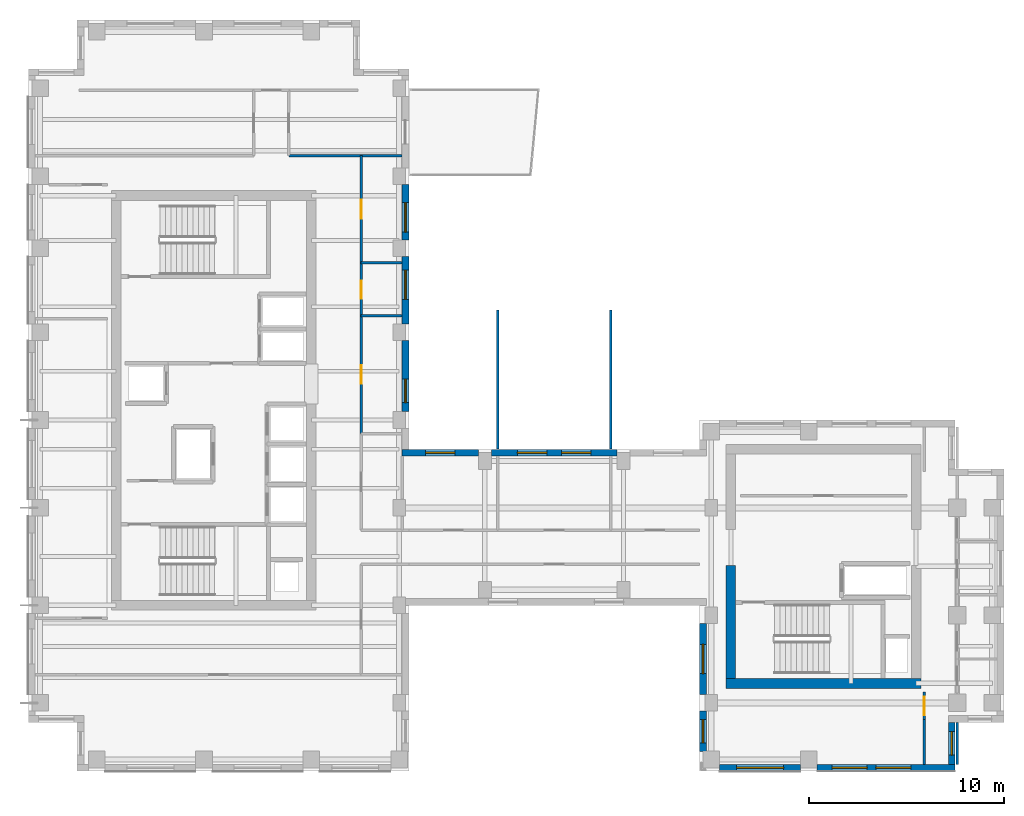
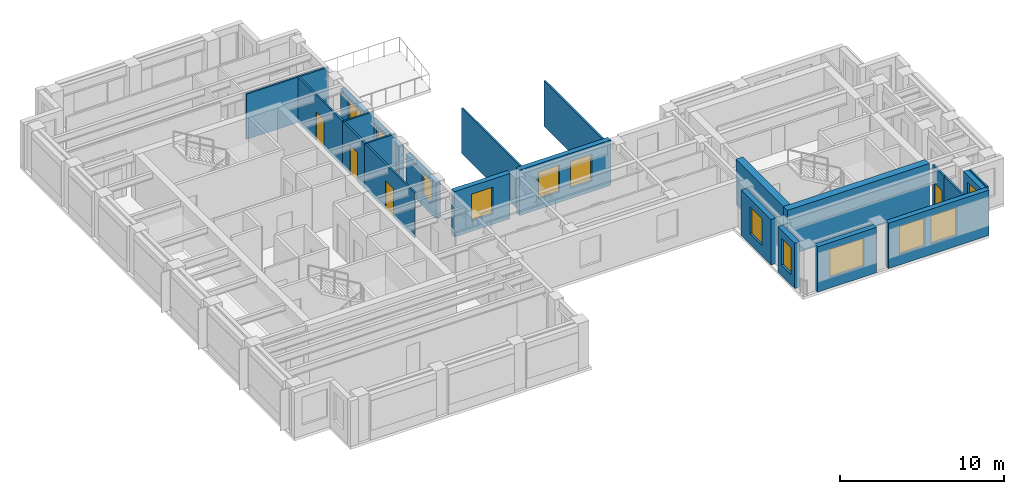
# One storey, part 5 of 10: 23 walls, 12 windows, 4 doors, 16 openings.
"""IFC4 building model written with IfcOpenShell, lengths in metres."""

import ifcopenshell
import ifcopenshell.guid

model = None  # the IFC model being written
_history = None  # IfcOwnerHistory: only IFC2X3 demands one
_inside = {}  # id of a spatial element -> (the spatial element, [elements in it])
_under = {}  # id of a project, library or spatial element -> (it, [spatial elements below it])
_declared = {}  # id of a project -> (the project, [libraries it declares])
_typed = {}  # id of a type object -> (the type object, [elements of that type])
_made_of = {}  # id of a material, layer set ... -> (it, [elements and type objects made of it])


def new_model(schema):
    """Start an empty IFC model of exactly this schema.

    Asked for "IFC4X3", IfcOpenShell would pick the latest addendum, in which some entities
    have other attributes; the version numbers below select the first issue.
    IFC2X3 requires an IfcOwnerHistory on every rooted entity: one is made here for all.
    """
    global model, _history
    if schema == "IFC4X3":
        model = ifcopenshell.file(schema_version=(4, 3, 0, 0))
    else:
        model = ifcopenshell.file(schema=schema)
    _inside.clear()
    _under.clear()
    _declared.clear()
    _typed.clear()
    _made_of.clear()
    _history = None
    if model.schema == "IFC2X3":
        org = make("IfcOrganization", Name="unknown")
        user = make(
            "IfcPersonAndOrganization",
            ThePerson=make("IfcPerson", FamilyName="unknown"),
            TheOrganization=org,
        )
        app = make(
            "IfcApplication",
            ApplicationDeveloper=org,
            Version="unknown",
            ApplicationFullName="unknown",
            ApplicationIdentifier="unknown",
        )
        _history = make(
            "IfcOwnerHistory",
            OwningUser=user,
            OwningApplication=app,
            ChangeAction="ADDED",
            CreationDate=0,
        )
    return model


def make(cls, **values):
    """One entity of the class cls with the attributes given. An attribute that is None is left unset."""
    return model.create_entity(
        cls, **{name: value for name, value in values.items() if value is not None}
    )


def rooted(cls, **values):
    """An entity with a GlobalId (a new one), such as an element, a storey or a relation."""
    return make(cls, GlobalId=ifcopenshell.guid.new(), OwnerHistory=_history, **values)


def si_unit(unit_type, name, prefix=None):
    """IfcSIUnit, for example si_unit("LENGTHUNIT", "METRE", prefix="MILLI")."""
    return make("IfcSIUnit", UnitType=unit_type, Prefix=prefix, Name=name)


def assignment(units):
    """IfcUnitAssignment: the units of a project."""
    return None if units is None else make("IfcUnitAssignment", Units=units)


def point(xyz):
    """IfcCartesianPoint."""
    return None if xyz is None else make("IfcCartesianPoint", Coordinates=xyz)


def direction(xyz):
    """IfcDirection."""
    return None if xyz is None else make("IfcDirection", DirectionRatios=xyz)


def frame(location, z_axis=None, x_axis=None):
    """IfcAxis2Placement3D, a coordinate frame: its origin and axes. An axis left out is left unset."""
    return make(
        "IfcAxis2Placement3D",
        Location=point(location),
        Axis=direction(z_axis),
        RefDirection=direction(x_axis),
    )


def frame_2d(location, x_axis=None):
    """IfcAxis2Placement2D, a coordinate frame in the plane: its origin and x axis."""
    return make(
        "IfcAxis2Placement2D", Location=point(location), RefDirection=direction(x_axis)
    )


def origin():
    """The frame at (0, 0, 0) with its axes left unset."""
    return frame((0.0, 0.0, 0.0))


def place(relative_to, where):
    """IfcLocalPlacement: puts the frame where relative to a parent placement (None: the world)."""
    return make(
        "IfcLocalPlacement", PlacementRelTo=relative_to, RelativePlacement=where
    )


def context(
    kind, dimensions, precision=None, world=None, true_north=None, identifier=None
):
    """IfcGeometricRepresentationContext, for example the 3D "Model" context."""
    return make(
        "IfcGeometricRepresentationContext",
        ContextIdentifier=identifier,
        ContextType=kind,
        CoordinateSpaceDimension=dimensions,
        Precision=precision,
        WorldCoordinateSystem=world,
        TrueNorth=true_north,
    )


def subcontext(parent, identifier, kind, view, scale=None):
    """IfcGeometricRepresentationSubContext, for example "Body" below "Model"."""
    return make(
        "IfcGeometricRepresentationSubContext",
        ContextIdentifier=identifier,
        ContextType=kind,
        ParentContext=parent,
        TargetScale=scale,
        TargetView=view,
    )


def project(units=None, contexts=None):
    """IfcProject with its units and contexts."""
    return rooted(
        "IfcProject",
        Name="project",
        RepresentationContexts=contexts,
        UnitsInContext=assignment(units),
    )


def spatial(cls, under=None, at=None, **own):
    """A site, building, storey or space (cls), placed at a placement, below another one or the project."""
    s = rooted(cls, ObjectPlacement=at, **own)
    if under is not None:
        _under.setdefault(under.id(), (under, []))[1].append(s)
    return s


def profile(cls, at=None, kind="AREA", **sizes):
    """A parametric profile (cls). Its sizes go by their IFC names, for example OverallWidth=200.0."""
    return make(cls, ProfileType=kind, Position=at, **sizes)


def rectangle(**sizes):
    """IfcRectangleProfileDef."""
    return profile("IfcRectangleProfileDef", **sizes)


def extrude(swept, where, along, depth):
    """IfcExtrudedAreaSolid: the profile swept, set in the frame where, extruded along a direction by depth."""
    return make(
        "IfcExtrudedAreaSolid",
        SweptArea=swept,
        Position=where,
        ExtrudedDirection=direction(along),
        Depth=depth,
    )


def shape(context_of_items, identifier, shape_type, items):
    """IfcShapeRepresentation: the items that make up one representation, for example the "Body"."""
    return make(
        "IfcShapeRepresentation",
        ContextOfItems=context_of_items,
        RepresentationIdentifier=identifier,
        RepresentationType=shape_type,
        Items=items,
    )


def source(mapping_origin, context_of_items, identifier, shape_type, items):
    """IfcRepresentationMap: a shape defined once, which mapped items show again and again."""
    return make(
        "IfcRepresentationMap",
        MappingOrigin=mapping_origin,
        MappedRepresentation=shape(context_of_items, identifier, shape_type, items),
    )


def transform(
    local_origin,
    x_axis=None,
    y_axis=None,
    z_axis=None,
    scale=None,
    scale2=None,
    scale3=None,
    uniform=True,
):
    """IfcCartesianTransformationOperator3D, or its non-uniform kind. x_axis, y_axis, z_axis: its Axis1, 2, 3."""
    if uniform:
        return make(
            "IfcCartesianTransformationOperator3D",
            Axis1=direction(x_axis),
            Axis2=direction(y_axis),
            LocalOrigin=point(local_origin),
            Scale=scale,
            Axis3=direction(z_axis),
        )
    return make(
        "IfcCartesianTransformationOperator3DnonUniform",
        Axis1=direction(x_axis),
        Axis2=direction(y_axis),
        LocalOrigin=point(local_origin),
        Scale=scale,
        Axis3=direction(z_axis),
        Scale2=scale2,
        Scale3=scale3,
    )


def mapped(mapping_source, mapping_target):
    """IfcMappedItem: shows the shape of a source again, moved by a transform."""
    return make(
        "IfcMappedItem", MappingSource=mapping_source, MappingTarget=mapping_target
    )


def material(Name=None, Category=None):
    """IfcMaterial."""
    return make("IfcMaterial", Name=Name, Category=Category)


def layer(
    of_material, thickness, ventilated=None, Name=None, Category=None, Priority=None
):
    """IfcMaterialLayer: one layer of a wall or slab, of a material (None: an air gap)."""
    return make(
        "IfcMaterialLayer",
        Material=of_material,
        LayerThickness=thickness,
        IsVentilated=ventilated,
        Name=Name,
        Category=Category,
        Priority=Priority,
    )


def layer_set(layers, Name=None):
    """IfcMaterialLayerSet."""
    return make("IfcMaterialLayerSet", MaterialLayers=layers, LayerSetName=Name)


def made_of(thing, what):
    """Note that an element or type object is made of a material, layer set ...; save() writes the relation."""
    if what is not None:
        _made_of.setdefault(what.id(), (what, []))[1].append(thing)
    return thing


def type_object(cls, material=None, **own):
    """A type object (cls), such as IfcWallType, which elements share."""
    return made_of(rooted(cls, **own), material)


def element(
    cls,
    number,
    at=None,
    inside=None,
    cuts=None,
    type_object=None,
    material=None,
    context=None,
    identifier="Body",
    shape_type=None,
    held_by="IfcProductDefinitionShape",
    body=None,
    shapes=None,
    **own,
):
    """One element of the class cls, such as IfcWall. Its Tag is "e" and its number.

    at: its placement. inside: the storey or other place that contains it. cuts: it is an
    opening in that element (IfcRelVoidsElement). A single representation is given by context,
    identifier, shape_type and body (its items); several are given by shapes. held_by: the class
    of the entity that holds the representations. save() writes the other relations.
    """
    e = rooted(cls, Tag="e%d" % number, ObjectPlacement=at, **own)
    if body is not None:
        shapes = [shape(context, identifier, shape_type, body)]
    if shapes is not None:
        e.Representation = make(held_by, Representations=shapes)
    if inside is not None:
        _inside.setdefault(inside.id(), (inside, []))[1].append(e)
    if cuts is not None:
        rooted(
            "IfcRelVoidsElement", RelatingBuildingElement=cuts, RelatedOpeningElement=e
        )
    if type_object is not None:
        _typed.setdefault(type_object.id(), (type_object, []))[1].append(e)
    return made_of(e, material)


def fill(opening, filler):
    """IfcRelFillsElement: the door or window that sits in an opening."""
    return rooted(
        "IfcRelFillsElement",
        RelatingOpeningElement=opening,
        RelatedBuildingElement=filler,
    )


def aggregate(whole, parts):
    """IfcRelAggregates: a whole, such as a stair, and the parts it consists of."""
    return rooted("IfcRelAggregates", RelatingObject=whole, RelatedObjects=parts)


def save(model, path):
    """Write the relations noted so far, then the file.

    IfcRelAggregates (storeys below a building ...), IfcRelContainedInSpatialStructure (elements
    in a storey), IfcRelDefinesByType, IfcRelAssociatesMaterial and IfcRelDeclares: one each for
    every whole, place, type object, material and project.
    """
    for whole, parts in _under.values():
        aggregate(whole, parts)
    for where, things in _inside.values():
        rooted(
            "IfcRelContainedInSpatialStructure",
            RelatedElements=things,
            RelatingStructure=where,
        )
    for kind, things in _typed.values():
        rooted("IfcRelDefinesByType", RelatedObjects=things, RelatingType=kind)
    for what, things in _made_of.values():
        rooted("IfcRelAssociatesMaterial", RelatedObjects=things, RelatingMaterial=what)
    for by, libraries in _declared.values():
        rooted("IfcRelDeclares", RelatingContext=by, RelatedDefinitions=libraries)
    model.write(path)


model = new_model("IFC4")

# Units and contexts
model_context = context("Model", 3, precision=1e-05, world=origin(), true_north=direction((0.0, 1.0)))
body_context = subcontext(model_context, "Body", "Model", "MODEL_VIEW")
ifc_project = project(units=[si_unit("LENGTHUNIT", "METRE"), si_unit("AREAUNIT", "SQUARE_METRE"), si_unit("VOLUMEUNIT", "CUBIC_METRE"), si_unit("PLANEANGLEUNIT", "RADIAN"), si_unit("MASSUNIT", "GRAM", prefix="KILO")], contexts=[model_context])

# Site, building, storey
site_placement = place(None, origin())
site = spatial("IfcSite", under=ifc_project, at=site_placement, CompositionType="ELEMENT")
building_placement = place(site_placement, origin())
building = spatial("IfcBuilding", under=site, at=building_placement, Name="Kharzan Plaza Tower", CompositionType="ELEMENT")
storey_placement = place(building_placement, frame((0.0, 0.0, 223.199951171875)))
storey = spatial("IfcBuildingStorey", under=building, at=storey_placement, Name="L60", CompositionType="ELEMENT", Elevation=223.199951171875)

# Wall, opening, window
ifc_material_1 = material(Name="Concrete C40/50", Category="concrete")
ifc_layer_1 = layer(ifc_material_1, 0.35009765625)
ifc_layer_set_1 = layer_set([ifc_layer_1], Name="Concrete C40/50")
wall_type_1 = type_object("IfcWallType", Name="WL-EXT-MAS-Z4", PredefinedType="SOLIDWALL", material=ifc_layer_set_1)
wall_1_placement = place(storey_placement, frame((19.324951171875, 18.423095703125, 0.0), z_axis=(0.0, 0.0, 1.0), x_axis=(0.0, 1.0, 0.0)))
wall_1 = element("IfcWall", 1, at=wall_1_placement, inside=storey, type_object=wall_type_1, Name="L60 Masonry-Frame Exterior Wall 02", PredefinedType="SOLIDWALL", context=body_context, shape_type="SweptSolid", body=[
    extrude(rectangle(XDim=3.65380859375, YDim=0.35009765625, at=frame_2d((1.826904296875, 0.0))), origin(), (0.0, 0.0, 1.0), 2.619140625),
])
opening_1_placement = place(wall_1_placement, frame((0.469970703125, 0.0, 0.780029296875)))
opening_1 = element("IfcOpeningElement", 2, at=opening_1_placement, cuts=wall_1, Name="Opening W3", PredefinedType="OPENING", context=body_context, shape_type="SweptSolid", body=[
    extrude(rectangle(XDim=1.199951171875, YDim=1.658935546875, at=frame_2d((0.60009765625, 0.82958984375))), frame((0.0, 0.18505859375, 0.0), z_axis=(0.0, -1.0, 0.0), x_axis=(1.0, 0.0, 0.0)), (0.0, 0.0, 1.0), 0.3701171875),
])
ifc_material_2 = material(Name="Low-E Double Glazing", Category="glass")
window_type_1 = type_object("IfcWindowType", Name="WN-REC-1200x2100", PartitioningType="SINGLE_PANEL", PredefinedType="WINDOW", material=ifc_material_2)
shared_shape_1 = source(origin(), body_context, "Body", "SweptSolid", [
    extrude(rectangle(XDim=1.199951171875, YDim=1.658935546875, at=frame_2d((0.60009765625, 0.82958984375))), frame((0.0, 0.030029296875, 0.0), z_axis=(0.0, -1.0, 0.0), x_axis=(1.0, 0.0, 0.0)), (0.0, 0.0, 1.0), 0.06005859375),
])
window_1_placement = place(opening_1_placement, origin())
window_1 = element("IfcWindow", 3, at=window_1_placement, inside=storey, type_object=window_type_1, Name="L60 Recessed Solar-Control Window 02-1", OverallHeight=1.658935546875, OverallWidth=1.199951171875, PartitioningType="SINGLE_PANEL", PredefinedType="WINDOW", context=body_context, shape_type="MappedRepresentation", body=[
    mapped(shared_shape_1, transform((0.0, 0.0, 0.0), x_axis=(1.0, 0.0, 0.0), y_axis=(0.0, 1.0, 0.0), z_axis=(0.0, 0.0, 1.0))),
])
fill(opening_1, window_1)

wall_2_placement = place(storey_placement, frame((19.324951171875, 22.923095703125, 0.0), z_axis=(0.0, 0.0, 1.0), x_axis=(0.0, 1.0, 0.0)))
wall_2 = element("IfcWall", 4, at=wall_2_placement, inside=storey, type_object=wall_type_1, Name="L60 Masonry-Frame Exterior Wall 03", PredefinedType="SOLIDWALL", context=body_context, shape_type="SweptSolid", body=[
    extrude(rectangle(XDim=3.453857421875, YDim=0.35009765625, at=frame_2d((1.72705078125, 0.0))), origin(), (0.0, 0.0, 1.0), 2.619140625),
])
opening_2_placement = place(wall_2_placement, frame((1.255615234375, 0.0, 0.780029296875)))
opening_2 = element("IfcOpeningElement", 5, at=opening_2_placement, cuts=wall_2, Name="Opening W5", PredefinedType="OPENING", context=body_context, shape_type="SweptSolid", body=[
    extrude(rectangle(XDim=1.5, YDim=1.658935546875, at=frame_2d((0.75, 0.82958984375))), frame((0.0, 0.18505859375, 0.0), z_axis=(0.0, -1.0, 0.0), x_axis=(1.0, 0.0, 0.0)), (0.0, 0.0, 1.0), 0.3701171875),
])
window_type_2 = type_object("IfcWindowType", Name="WN-SLT-1500x2000", PartitioningType="SINGLE_PANEL", PredefinedType="WINDOW", material=ifc_material_2)
shared_shape_2 = source(origin(), body_context, "Body", "SweptSolid", [
    extrude(rectangle(XDim=1.5, YDim=1.658935546875, at=frame_2d((0.75, 0.82958984375))), frame((0.0, 0.030029296875, 0.0), z_axis=(0.0, -1.0, 0.0), x_axis=(1.0, 0.0, 0.0)), (0.0, 0.0, 1.0), 0.06005859375),
])
window_2_placement = place(opening_2_placement, origin())
window_2 = element("IfcWindow", 6, at=window_2_placement, inside=storey, type_object=window_type_2, Name="L60 Recessed Solar-Control Window 03-1", OverallHeight=1.658935546875, OverallWidth=1.5, PartitioningType="SINGLE_PANEL", PredefinedType="WINDOW", context=body_context, shape_type="MappedRepresentation", body=[
    mapped(shared_shape_2, transform((0.0, 0.0, 0.0), x_axis=(1.0, 0.0, 0.0), y_axis=(0.0, 1.0, 0.0), z_axis=(0.0, 0.0, 1.0))),
])
fill(opening_2, window_2)

wall_3_placement = place(storey_placement, frame((19.324951171875, 27.222900390625, 0.0), z_axis=(0.0, 0.0, 1.0), x_axis=(0.0, 1.0, 0.0)))
wall_3 = element("IfcWall", 7, at=wall_3_placement, inside=storey, type_object=wall_type_1, Name="L60 Masonry-Frame Exterior Wall 04", PredefinedType="SOLIDWALL", context=body_context, shape_type="SweptSolid", body=[
    extrude(rectangle(XDim=2.85400390625, YDim=0.35009765625, at=frame_2d((1.427001953125, 0.0))), origin(), (0.0, 0.0, 1.0), 2.619140625),
])
opening_3_placement = place(wall_3_placement, frame((0.411376953125, 0.0, 0.780029296875)))
opening_3 = element("IfcOpeningElement", 8, at=opening_3_placement, cuts=wall_3, Name="Opening W5", PredefinedType="OPENING", context=body_context, shape_type="SweptSolid", body=[
    extrude(rectangle(XDim=1.5, YDim=1.658935546875, at=frame_2d((0.75, 0.82958984375))), frame((0.0, 0.18505859375, 0.0), z_axis=(0.0, -1.0, 0.0), x_axis=(1.0, 0.0, 0.0)), (0.0, 0.0, 1.0), 0.3701171875),
])
window_3_placement = place(opening_3_placement, origin())
window_3 = element("IfcWindow", 9, at=window_3_placement, inside=storey, type_object=window_type_2, Name="L60 Recessed Solar-Control Window 04-1", OverallHeight=1.658935546875, OverallWidth=1.5, PartitioningType="SINGLE_PANEL", PredefinedType="WINDOW", context=body_context, shape_type="MappedRepresentation", body=[
    mapped(shared_shape_2, transform((0.0, 0.0, 0.0), x_axis=(1.0, 0.0, 0.0), y_axis=(0.0, 1.0, 0.0), z_axis=(0.0, 0.0, 1.0))),
])
fill(opening_3, window_3)

wall_4_placement = place(storey_placement, frame((34.574951171875, 7.576904296875, 0.0), z_axis=(0.0, 0.0, 1.0), x_axis=(0.0, -1.0, 0.0)))
wall_4 = element("IfcWall", 10, at=wall_4_placement, inside=storey, type_object=wall_type_1, Name="L60 Masonry-Frame Exterior Wall 33", PredefinedType="SOLIDWALL", context=body_context, shape_type="SweptSolid", body=[
    extrude(rectangle(XDim=3.65380859375, YDim=0.35009765625, at=frame_2d((1.826904296875, 0.0))), origin(), (0.0, 0.0, 1.0), 3.385009765625),
])
opening_4_placement = place(wall_4_placement, frame((1.076904296875, 0.0, 0.780029296875)))
opening_4 = element("IfcOpeningElement", 11, at=opening_4_placement, cuts=wall_4, Name="Opening W5", PredefinedType="OPENING", context=body_context, shape_type="SweptSolid", body=[
    extrude(rectangle(XDim=1.5, YDim=2.0, at=frame_2d((0.75, 1.0))), frame((0.0, 0.18505859375, 0.0), z_axis=(0.0, -1.0, 0.0), x_axis=(1.0, 0.0, 0.0)), (0.0, 0.0, 1.0), 0.3701171875),
])
shared_shape_3 = source(origin(), body_context, "Body", "SweptSolid", [
    extrude(rectangle(XDim=1.5, YDim=2.0, at=frame_2d((0.75, 1.0))), frame((0.0, 0.030029296875, 0.0), z_axis=(0.0, -1.0, 0.0), x_axis=(1.0, 0.0, 0.0)), (0.0, 0.0, 1.0), 0.06005859375),
])
window_4_placement = place(opening_4_placement, origin())
window_4 = element("IfcWindow", 12, at=window_4_placement, inside=storey, type_object=window_type_2, Name="L60 Recessed Solar-Control Window 33-1", OverallHeight=2.0, OverallWidth=1.5, PartitioningType="SINGLE_PANEL", PredefinedType="WINDOW", context=body_context, shape_type="MappedRepresentation", body=[
    mapped(shared_shape_3, transform((0.0, 0.0, 0.0), x_axis=(1.0, 0.0, 0.0), y_axis=(0.0, 1.0, 0.0), z_axis=(0.0, 0.0, 1.0))),
])
fill(opening_4, window_4)

wall_5_placement = place(storey_placement, frame((34.574951171875, 3.076904296875, 0.0), z_axis=(0.0, 0.0, 1.0), x_axis=(0.0, -1.0, 0.0)))
wall_5 = element("IfcWall", 13, at=wall_5_placement, inside=storey, type_object=wall_type_1, Name="L60 Masonry-Frame Exterior Wall 34", PredefinedType="SOLIDWALL", context=body_context, shape_type="SweptSolid", body=[
    extrude(rectangle(XDim=2.053955078125, YDim=0.35009765625, at=frame_2d((1.02685546875, 0.0))), origin(), (0.0, 0.0, 1.0), 3.385009765625),
])
opening_5_placement = place(wall_5_placement, frame((0.427001953125, 0.0, 0.780029296875)))
opening_5 = element("IfcOpeningElement", 14, at=opening_5_placement, cuts=wall_5, Name="Opening W3", PredefinedType="OPENING", context=body_context, shape_type="SweptSolid", body=[
    extrude(rectangle(XDim=1.199951171875, YDim=2.0, at=frame_2d((0.60009765625, 1.0))), frame((0.0, 0.18505859375, 0.0), z_axis=(0.0, -1.0, 0.0), x_axis=(1.0, 0.0, 0.0)), (0.0, 0.0, 1.0), 0.3701171875),
])
shared_shape_4 = source(origin(), body_context, "Body", "SweptSolid", [
    extrude(rectangle(XDim=1.199951171875, YDim=2.0, at=frame_2d((0.60009765625, 1.0))), frame((0.0, 0.030029296875, 0.0), z_axis=(0.0, -1.0, 0.0), x_axis=(1.0, 0.0, 0.0)), (0.0, 0.0, 1.0), 0.06005859375),
])
window_5_placement = place(opening_5_placement, origin())
window_5 = element("IfcWindow", 15, at=window_5_placement, inside=storey, type_object=window_type_1, Name="L60 Recessed Solar-Control Window 34-1", OverallHeight=2.0, OverallWidth=1.199951171875, PartitioningType="SINGLE_PANEL", PredefinedType="WINDOW", context=body_context, shape_type="MappedRepresentation", body=[
    mapped(shared_shape_4, transform((0.0, 0.0, 0.0), x_axis=(1.0, 0.0, 0.0), y_axis=(0.0, 1.0, 0.0), z_axis=(0.0, 0.0, 1.0))),
])
fill(opening_5, window_5)

wall_6_placement = place(storey_placement, frame((35.423095703125, 0.175048828125, 0.0), z_axis=(0.0, 0.0, 1.0), x_axis=(1.0, 0.0, 0.0)))
wall_6 = element("IfcWall", 16, at=wall_6_placement, inside=storey, type_object=wall_type_1, Name="L60 Masonry-Frame Exterior Wall 35", PredefinedType="SOLIDWALL", context=body_context, shape_type="SweptSolid", body=[
    extrude(rectangle(XDim=4.15380859375, YDim=0.35009765625, at=frame_2d((2.076904296875, 0.0))), origin(), (0.0, 0.0, 1.0), 3.385009765625),
])
opening_6_placement = place(wall_6_placement, frame((0.876953125, 0.0, 0.780029296875)))
opening_6 = element("IfcOpeningElement", 17, at=opening_6_placement, cuts=wall_6, Name="Opening W2", PredefinedType="OPENING", context=body_context, shape_type="SweptSolid", body=[
    extrude(rectangle(XDim=2.39990234375, YDim=2.10009765625, at=frame_2d((1.199951171875, 1.050048828125))), frame((0.0, 0.18505859375, 0.0), z_axis=(0.0, -1.0, 0.0), x_axis=(1.0, 0.0, 0.0)), (0.0, 0.0, 1.0), 0.3701171875),
])
window_type_3 = type_object("IfcWindowType", Name="WN-REC-2400x2100", PartitioningType="SINGLE_PANEL", PredefinedType="WINDOW", material=ifc_material_2)
shared_shape_5 = source(origin(), body_context, "Body", "SweptSolid", [
    extrude(rectangle(XDim=2.39990234375, YDim=2.10009765625, at=frame_2d((1.199951171875, 1.050048828125))), frame((0.0, 0.030029296875, 0.0), z_axis=(0.0, -1.0, 0.0), x_axis=(1.0, 0.0, 0.0)), (0.0, 0.0, 1.0), 0.06005859375),
])
window_6_placement = place(opening_6_placement, origin())
window_6 = element("IfcWindow", 18, at=window_6_placement, inside=storey, type_object=window_type_3, Name="L60 Wide Recessed Solar-Control Window 35-1", OverallHeight=2.10009765625, OverallWidth=2.39990234375, PartitioningType="SINGLE_PANEL", PredefinedType="WINDOW", context=body_context, shape_type="MappedRepresentation", body=[
    mapped(shared_shape_5, transform((0.0, 0.0, 0.0), x_axis=(1.0, 0.0, 0.0), y_axis=(0.0, 1.0, 0.0), z_axis=(0.0, 0.0, 1.0))),
])
fill(opening_6, window_6)

# Wall, openings, windows
wall_7_placement = place(storey_placement, frame((40.423095703125, 0.175048828125, 0.0), z_axis=(0.0, 0.0, 1.0), x_axis=(1.0, 0.0, 0.0)))
wall_7 = element("IfcWall", 19, at=wall_7_placement, inside=storey, type_object=wall_type_1, Name="L60 Masonry-Frame Exterior Wall 36", PredefinedType="SOLIDWALL", context=body_context, shape_type="SweptSolid", body=[
    extrude(rectangle(XDim=7.076904296875, YDim=0.35009765625, at=frame_2d((3.53857421875, 0.0))), origin(), (0.0, 0.0, 1.0), 3.385009765625),
])
opening_7_placement = place(wall_7_placement, frame((0.76220703125, 0.0, 0.780029296875)))
opening_7 = element("IfcOpeningElement", 20, at=opening_7_placement, cuts=wall_7, Name="Opening W1", PredefinedType="OPENING", context=body_context, shape_type="SweptSolid", body=[
    extrude(rectangle(XDim=1.800048828125, YDim=2.10009765625, at=frame_2d((0.89990234375, 1.050048828125))), frame((0.0, 0.18505859375, 0.0), z_axis=(0.0, -1.0, 0.0), x_axis=(1.0, 0.0, 0.0)), (0.0, 0.0, 1.0), 0.3701171875),
])
opening_8_placement = place(wall_7_placement, frame((3.004638671875, 0.0, 0.780029296875)))
opening_8 = element("IfcOpeningElement", 21, at=opening_8_placement, cuts=wall_7, Name="Opening W1", PredefinedType="OPENING", context=body_context, shape_type="SweptSolid", body=[
    extrude(rectangle(XDim=1.800048828125, YDim=2.10009765625, at=frame_2d((0.89990234375, 1.050048828125))), frame((0.0, 0.18505859375, 0.0), z_axis=(0.0, -1.0, 0.0), x_axis=(1.0, 0.0, 0.0)), (0.0, 0.0, 1.0), 0.3701171875),
])
window_type_4 = type_object("IfcWindowType", Name="WN-REC-1800x2100", PartitioningType="SINGLE_PANEL", PredefinedType="WINDOW", material=ifc_material_2)
shared_shape_6 = source(origin(), body_context, "Body", "SweptSolid", [
    extrude(rectangle(XDim=1.800048828125, YDim=2.10009765625, at=frame_2d((0.89990234375, 1.050048828125))), frame((0.0, 0.030029296875, 0.0), z_axis=(0.0, -1.0, 0.0), x_axis=(1.0, 0.0, 0.0)), (0.0, 0.0, 1.0), 0.06005859375),
])
window_7_placement = place(opening_7_placement, origin())
window_7 = element("IfcWindow", 22, at=window_7_placement, inside=storey, type_object=window_type_4, Name="L60 Recessed Solar-Control Window 36-1", OverallHeight=2.10009765625, OverallWidth=1.800048828125, PartitioningType="SINGLE_PANEL", PredefinedType="WINDOW", context=body_context, shape_type="MappedRepresentation", body=[
    mapped(shared_shape_6, transform((0.0, 0.0, 0.0), x_axis=(1.0, 0.0, 0.0), y_axis=(0.0, 1.0, 0.0), z_axis=(0.0, 0.0, 1.0))),
])
fill(opening_7, window_7)
window_8_placement = place(opening_8_placement, origin())
window_8 = element("IfcWindow", 23, at=window_8_placement, inside=storey, type_object=window_type_4, Name="L60 Recessed Solar-Control Window 36-2", OverallHeight=2.10009765625, OverallWidth=1.800048828125, PartitioningType="SINGLE_PANEL", PredefinedType="WINDOW", context=body_context, shape_type="MappedRepresentation", body=[
    mapped(shared_shape_6, transform((0.0, 0.0, 0.0), x_axis=(1.0, 0.0, 0.0), y_axis=(0.0, 1.0, 0.0), z_axis=(0.0, 0.0, 1.0))),
])
fill(opening_8, window_8)

# Wall, opening, window
wall_8_placement = place(storey_placement, frame((47.324951171875, 0.347900390625, 0.0), z_axis=(0.0, 0.0, 1.0), x_axis=(0.0, 1.0, 0.0)))
wall_8 = element("IfcWall", 24, at=wall_8_placement, inside=storey, type_object=wall_type_1, Name="L60 Masonry-Frame Exterior Wall 37", PredefinedType="SOLIDWALL", context=body_context, shape_type="SweptSolid", body=[
    extrude(rectangle(XDim=2.154052734375, YDim=0.35009765625, at=frame_2d((1.0771484375, 0.0))), origin(), (0.0, 0.0, 1.0), 3.385009765625),
])
opening_9_placement = place(wall_8_placement, frame((0.47705078125, 0.0, 0.780029296875)))
opening_9 = element("IfcOpeningElement", 25, at=opening_9_placement, cuts=wall_8, Name="Opening W3", PredefinedType="OPENING", context=body_context, shape_type="SweptSolid", body=[
    extrude(rectangle(XDim=1.199951171875, YDim=2.10009765625, at=frame_2d((0.60009765625, 1.050048828125))), frame((0.0, 0.18505859375, 0.0), z_axis=(0.0, -1.0, 0.0), x_axis=(1.0, 0.0, 0.0)), (0.0, 0.0, 1.0), 0.3701171875),
])
shared_shape_7 = source(origin(), body_context, "Body", "SweptSolid", [
    extrude(rectangle(XDim=1.199951171875, YDim=2.10009765625, at=frame_2d((0.60009765625, 1.050048828125))), frame((0.0, 0.030029296875, 0.0), z_axis=(0.0, -1.0, 0.0), x_axis=(1.0, 0.0, 0.0)), (0.0, 0.0, 1.0), 0.06005859375),
])
window_9_placement = place(opening_9_placement, origin())
window_9 = element("IfcWindow", 26, at=window_9_placement, inside=storey, type_object=window_type_1, Name="L60 Recessed Solar-Control Window 37-1", OverallHeight=2.10009765625, OverallWidth=1.199951171875, PartitioningType="SINGLE_PANEL", PredefinedType="WINDOW", context=body_context, shape_type="MappedRepresentation", body=[
    mapped(shared_shape_7, transform((0.0, 0.0, 0.0), x_axis=(1.0, 0.0, 0.0), y_axis=(0.0, 1.0, 0.0), z_axis=(0.0, 0.0, 1.0))),
])
fill(opening_9, window_9)

# Wall, openings, windows
wall_9_placement = place(storey_placement, frame((30.177001953125, 16.324951171875, 0.0), z_axis=(0.0, 0.0, 1.0), x_axis=(-1.0, 0.0, 0.0)))
wall_9 = element("IfcWall", 27, at=wall_9_placement, inside=storey, type_object=wall_type_1, Name="L60 Masonry-Frame Exterior Wall 49", PredefinedType="SOLIDWALL", context=body_context, shape_type="SweptSolid", body=[
    extrude(rectangle(XDim=6.4541015625, YDim=0.35009765625, at=frame_2d((3.22705078125, 0.0))), origin(), (0.0, 0.0, 1.0), 3.385009765625),
])
opening_10_placement = place(wall_9_placement, frame((1.34375, 0.0, 0.780029296875)))
opening_10 = element("IfcOpeningElement", 28, at=opening_10_placement, cuts=wall_9, Name="Opening W5", PredefinedType="OPENING", context=body_context, shape_type="SweptSolid", body=[
    extrude(rectangle(XDim=1.5, YDim=2.0, at=frame_2d((0.75, 1.0))), frame((0.0, 0.18505859375, 0.0), z_axis=(0.0, -1.0, 0.0), x_axis=(1.0, 0.0, 0.0)), (0.0, 0.0, 1.0), 0.3701171875),
])
opening_11_placement = place(wall_9_placement, frame((3.6103515625, 0.0, 0.780029296875)))
opening_11 = element("IfcOpeningElement", 29, at=opening_11_placement, cuts=wall_9, Name="Opening W5", PredefinedType="OPENING", context=body_context, shape_type="SweptSolid", body=[
    extrude(rectangle(XDim=1.5, YDim=2.0, at=frame_2d((0.75, 1.0))), frame((0.0, 0.18505859375, 0.0), z_axis=(0.0, -1.0, 0.0), x_axis=(1.0, 0.0, 0.0)), (0.0, 0.0, 1.0), 0.3701171875),
])
window_10_placement = place(opening_10_placement, origin())
window_10 = element("IfcWindow", 30, at=window_10_placement, inside=storey, type_object=window_type_2, Name="L60 Recessed Solar-Control Window 49-1", OverallHeight=2.0, OverallWidth=1.5, PartitioningType="SINGLE_PANEL", PredefinedType="WINDOW", context=body_context, shape_type="MappedRepresentation", body=[
    mapped(shared_shape_3, transform((0.0, 0.0, 0.0), x_axis=(1.0, 0.0, 0.0), y_axis=(0.0, 1.0, 0.0), z_axis=(0.0, 0.0, 1.0))),
])
fill(opening_10, window_10)
window_11_placement = place(opening_11_placement, origin())
window_11 = element("IfcWindow", 31, at=window_11_placement, inside=storey, type_object=window_type_2, Name="L60 Recessed Solar-Control Window 49-2", OverallHeight=2.0, OverallWidth=1.5, PartitioningType="SINGLE_PANEL", PredefinedType="WINDOW", context=body_context, shape_type="MappedRepresentation", body=[
    mapped(shared_shape_3, transform((0.0, 0.0, 0.0), x_axis=(1.0, 0.0, 0.0), y_axis=(0.0, 1.0, 0.0), z_axis=(0.0, 0.0, 1.0))),
])
fill(opening_11, window_11)

# Wall, opening, window
wall_10_placement = place(storey_placement, frame((23.076904296875, 16.324951171875, 0.0), z_axis=(0.0, 0.0, 1.0), x_axis=(-1.0, 0.0, 0.0)))
wall_10 = element("IfcWall", 32, at=wall_10_placement, inside=storey, type_object=wall_type_1, Name="L60 Masonry-Frame Exterior Wall 50", PredefinedType="SOLIDWALL", context=body_context, shape_type="SweptSolid", body=[
    extrude(rectangle(XDim=3.927001953125, YDim=0.35009765625, at=frame_2d((1.96337890625, 0.0))), origin(), (0.0, 0.0, 1.0), 3.385009765625),
])
opening_12_placement = place(wall_10_placement, frame((1.21337890625, 0.0, 0.780029296875)))
opening_12 = element("IfcOpeningElement", 33, at=opening_12_placement, cuts=wall_10, Name="Opening W5", PredefinedType="OPENING", context=body_context, shape_type="SweptSolid", body=[
    extrude(rectangle(XDim=1.5, YDim=2.0, at=frame_2d((0.75, 1.0))), frame((0.0, 0.18505859375, 0.0), z_axis=(0.0, -1.0, 0.0), x_axis=(1.0, 0.0, 0.0)), (0.0, 0.0, 1.0), 0.3701171875),
])
window_12_placement = place(opening_12_placement, origin())
window_12 = element("IfcWindow", 34, at=window_12_placement, inside=storey, type_object=window_type_2, Name="L60 Recessed Solar-Control Window 50-1", OverallHeight=2.0, OverallWidth=1.5, PartitioningType="SINGLE_PANEL", PredefinedType="WINDOW", context=body_context, shape_type="MappedRepresentation", body=[
    mapped(shared_shape_3, transform((0.0, 0.0, 0.0), x_axis=(1.0, 0.0, 0.0), y_axis=(0.0, 1.0, 0.0), z_axis=(0.0, 0.0, 1.0))),
])
fill(opening_12, window_12)

# Wall, opening, door
ifc_material_3 = material(Name="Fire-Rated Gypsum Board Partition", Category="gypsum")
ifc_layer_2 = layer(ifc_material_3, 0.125)
ifc_layer_set_2 = layer_set([ifc_layer_2], Name="Fire-Rated Gypsum Board Partition")
wall_type_2 = type_object("IfcWallType", Name="WL-INT-PART-125", PredefinedType="PARTITIONING", material=ifc_layer_set_2)
wall_11_placement = place(storey_placement, frame((17.050048828125, 17.300048828125, 0.0), z_axis=(0.0, 0.0, 1.0), x_axis=(0.0, 1.0, 0.0)))
wall_11 = element("IfcWall", 35, at=wall_11_placement, inside=storey, type_object=wall_type_2, Name="L60 Interior Partition SH-AEWN2", PredefinedType="PARTITIONING", context=body_context, shape_type="SweptSolid", body=[
    extrude(rectangle(XDim=6.050048828125, YDim=0.125, at=frame_2d((3.02490234375, 0.0))), origin(), (0.0, 0.0, 1.0), 3.385009765625),
])
opening_13_placement = place(wall_11_placement, frame((2.550048828125, 0.0, 0.0)))
opening_13 = element("IfcOpeningElement", 36, at=opening_13_placement, cuts=wall_11, Name="Opening OD1", PredefinedType="OPENING", context=body_context, shape_type="SweptSolid", body=[
    extrude(rectangle(XDim=0.949951171875, YDim=2.14990234375, at=frame_2d((0.47509765625, 1.074951171875))), frame((0.0, 0.072509765625, 0.0), z_axis=(0.0, -1.0, 0.0), x_axis=(1.0, 0.0, 0.0)), (0.0, 0.0, 1.0), 0.14501953125),
])
ifc_material_4 = material(Name="Acoustic Solid-Core Stained Oak", Category="timber")
door_type_1 = type_object("IfcDoorType", Name="DR-OFF-SINGLE", OperationType="NOTDEFINED", PredefinedType="DOOR", material=ifc_material_4)
shared_shape_8 = source(origin(), body_context, "Body", "SweptSolid", [
    extrude(rectangle(XDim=0.949951171875, YDim=2.14990234375, at=frame_2d((0.47509765625, 1.074951171875))), frame((0.0, 0.02490234375, 0.0), z_axis=(0.0, -1.0, 0.0), x_axis=(1.0, 0.0, 0.0)), (0.0, 0.0, 1.0), 0.050048828125),
])
door_1_placement = place(opening_13_placement, origin())
door_1 = element("IfcDoor", 37, at=door_1_placement, inside=storey, type_object=door_type_1, Name="L60 Slot Studio Door", OperationType="SINGLE_SWING_RIGHT", OverallHeight=2.14990234375, OverallWidth=0.949951171875, PredefinedType="DOOR", context=body_context, shape_type="MappedRepresentation", body=[
    mapped(shared_shape_8, transform((0.0, 0.0, 0.0), x_axis=(1.0, 0.0, 0.0), y_axis=(0.0, 1.0, 0.0), z_axis=(0.0, 0.0, 1.0))),
])
fill(opening_13, door_1)

wall_12_placement = place(storey_placement, frame((17.050048828125, 26.050048828125, 0.0), z_axis=(0.0, 0.0, 1.0), x_axis=(0.0, 1.0, 0.0)))
wall_12 = element("IfcWall", 38, at=wall_12_placement, inside=storey, type_object=wall_type_2, Name="L60 Interior Partition SH-AEWN3", PredefinedType="PARTITIONING", context=body_context, shape_type="SweptSolid", body=[
    extrude(rectangle(XDim=5.5, YDim=0.125, at=frame_2d((2.75, 0.0))), origin(), (0.0, 0.0, 1.0), 3.385009765625),
])
opening_14_placement = place(wall_12_placement, frame((2.27490234375, 0.0, 0.0)))
opening_14 = element("IfcOpeningElement", 39, at=opening_14_placement, cuts=wall_12, Name="Opening OD1", PredefinedType="OPENING", context=body_context, shape_type="SweptSolid", body=[
    extrude(rectangle(XDim=0.949951171875, YDim=2.14990234375, at=frame_2d((0.47509765625, 1.074951171875))), frame((0.0, 0.072509765625, 0.0), z_axis=(0.0, -1.0, 0.0), x_axis=(1.0, 0.0, 0.0)), (0.0, 0.0, 1.0), 0.14501953125),
])
door_2_placement = place(opening_14_placement, origin())
door_2 = element("IfcDoor", 40, at=door_2_placement, inside=storey, type_object=door_type_1, Name="L60 Staff Tea Point Door", OperationType="SINGLE_SWING_RIGHT", OverallHeight=2.14990234375, OverallWidth=0.949951171875, PredefinedType="DOOR", context=body_context, shape_type="MappedRepresentation", body=[
    mapped(shared_shape_8, transform((0.0, 0.0, 0.0), x_axis=(1.0, 0.0, 0.0), y_axis=(0.0, 1.0, 0.0), z_axis=(0.0, 0.0, 1.0))),
])
fill(opening_14, door_2)

wall_13_placement = place(storey_placement, frame((17.050048828125, 23.35009765625, 0.0), z_axis=(0.0, 0.0, 1.0), x_axis=(0.0, 1.0, 0.0)))
wall_13 = element("IfcWall", 41, at=wall_13_placement, inside=storey, type_object=wall_type_2, Name="L60 Interior Partition SH-AEWW", PredefinedType="PARTITIONING", context=body_context, shape_type="SweptSolid", body=[
    extrude(rectangle(XDim=2.699951171875, YDim=0.125, at=frame_2d((1.35009765625, 0.0))), origin(), (0.0, 0.0, 1.0), 3.385009765625),
])
opening_15_placement = place(wall_13_placement, frame((0.875, 0.0, 0.0)))
opening_15 = element("IfcOpeningElement", 42, at=opening_15_placement, cuts=wall_13, Name="Opening WD1", PredefinedType="OPENING", context=body_context, shape_type="SweptSolid", body=[
    extrude(rectangle(XDim=0.89990234375, YDim=2.14990234375, at=frame_2d((0.449951171875, 1.074951171875))), frame((0.0, 0.072509765625, 0.0), z_axis=(0.0, -1.0, 0.0), x_axis=(1.0, 0.0, 0.0)), (0.0, 0.0, 1.0), 0.14501953125),
])
ifc_material_5 = material(Name="Moisture-Resistant Fire-Rated Laminate", Category="timber")
door_type_2 = type_object("IfcDoorType", Name="DR-WC-900", OperationType="NOTDEFINED", PredefinedType="DOOR", material=ifc_material_5)
shared_shape_9 = source(origin(), body_context, "Body", "SweptSolid", [
    extrude(rectangle(XDim=0.89990234375, YDim=2.14990234375, at=frame_2d((0.449951171875, 1.074951171875))), frame((0.0, 0.02490234375, 0.0), z_axis=(0.0, -1.0, 0.0), x_axis=(1.0, 0.0, 0.0)), (0.0, 0.0, 1.0), 0.050048828125),
])
door_3_placement = place(opening_15_placement, origin())
door_3 = element("IfcDoor", 43, at=door_3_placement, inside=storey, type_object=door_type_2, Name="L60 Wing A Washroom Door", OperationType="SINGLE_SWING_LEFT", OverallHeight=2.14990234375, OverallWidth=0.89990234375, PredefinedType="DOOR", context=body_context, shape_type="MappedRepresentation", body=[
    mapped(shared_shape_9, transform((0.0, 0.0, 0.0), x_axis=(1.0, 0.0, 0.0), y_axis=(0.0, 1.0, 0.0), z_axis=(0.0, 0.0, 1.0))),
])
fill(opening_15, door_3)

wall_14_placement = place(storey_placement, frame((45.919921875, 2.64990234375, 0.0), z_axis=(0.0, 0.0, 1.0), x_axis=(0.0, 1.0, 0.0)))
wall_14 = element("IfcWall", 44, at=wall_14_placement, inside=storey, type_object=wall_type_2, Name="L60 Interior Partition SH-RBSE", PredefinedType="PARTITIONING", context=body_context, shape_type="SweptSolid", body=[
    extrude(rectangle(XDim=1.400146484375, YDim=0.125, at=frame_2d((0.7001953125, 0.0))), origin(), (0.0, 0.0, 1.0), 3.385009765625),
])
opening_16_placement = place(wall_14_placement, frame((0.22509765625, 0.0, 0.0)))
opening_16 = element("IfcOpeningElement", 45, at=opening_16_placement, cuts=wall_14, Name="Opening OD1", PredefinedType="OPENING", context=body_context, shape_type="SweptSolid", body=[
    extrude(rectangle(XDim=0.949951171875, YDim=2.14990234375, at=frame_2d((0.47509765625, 1.074951171875))), frame((0.0, 0.072509765625, 0.0), z_axis=(0.0, -1.0, 0.0), x_axis=(1.0, 0.0, 0.0)), (0.0, 0.0, 1.0), 0.14501953125),
])
door_4_placement = place(opening_16_placement, origin())
door_4 = element("IfcDoor", 46, at=door_4_placement, inside=storey, type_object=door_type_1, Name="L60 South-East Corner Office Door", OperationType="SINGLE_SWING_LEFT", OverallHeight=2.14990234375, OverallWidth=0.949951171875, PredefinedType="DOOR", context=body_context, shape_type="MappedRepresentation", body=[
    mapped(shared_shape_8, transform((0.0, 0.0, 0.0), x_axis=(1.0, 0.0, 0.0), y_axis=(0.0, 1.0, 0.0), z_axis=(0.0, 0.0, 1.0))),
])
fill(opening_16, door_4)

# Walls
shared_shape_10 = source(origin(), body_context, "Body", "SweptSolid", [
    extrude(rectangle(XDim=2.097900390625, YDim=0.125, at=frame_2d((1.048828125, 0.0))), origin(), (0.0, 0.0, 1.0), 3.385009765625),
])
for number, where, z_axis, x_axis, name in (
    (47, (17.050048828125, 23.35009765625, 0.0), (0.0, 0.0, 1.0), (1.0, 0.0, 0.0), "L60 Interior Partition SH-AEH-233"),
    (48, (17.050048828125, 26.050048828125, 0.0), (0.0, 0.0, 1.0), (1.0, 0.0, 0.0), "L60 Interior Partition SH-AEH-260"),
):
    element("IfcWall", number, at=place(storey_placement, frame(where, z_axis=z_axis, x_axis=x_axis)), inside=storey, type_object=wall_type_2, Name=name, PredefinedType="PARTITIONING", context=body_context, shape_type="MappedRepresentation", body=[
        mapped(shared_shape_10, transform((0.0, 0.0, 0.0), x_axis=(1.0, 0.0, 0.0), y_axis=(0.0, 1.0, 0.0), z_axis=(0.0, 0.0, 1.0))),
    ])
shared_shape_11 = source(origin(), body_context, "Body", "SweptSolid", [
    extrude(rectangle(XDim=2.2978515625, YDim=0.125, at=frame_2d((1.14892578125, 0.0))), origin(), (0.0, 0.0, 1.0), 3.385009765625),
])
wall_15_placement = place(storey_placement, frame((45.919921875, 0.35205078125, 0.0), z_axis=(0.0, 0.0, 1.0), x_axis=(0.0, 1.0, 0.0)))
element("IfcWall", 49, at=wall_15_placement, inside=storey, type_object=wall_type_2, Name="L60 Interior Partition SH-RBSE0", PredefinedType="PARTITIONING", context=body_context, shape_type="MappedRepresentation", body=[
    mapped(shared_shape_11, transform((0.0, 0.0, 0.0), x_axis=(1.0, 0.0, 0.0), y_axis=(0.0, 1.0, 0.0), z_axis=(0.0, 0.0, 1.0))),
])
shared_shape_12 = source(origin(), body_context, "Body", "SweptSolid", [
    extrude(rectangle(XDim=5.7978515625, YDim=0.125, at=frame_2d((2.89892578125, 0.0))), origin(), (0.0, 0.0, 1.0), 3.385009765625),
])
wall_16_placement = place(storey_placement, frame((13.35009765625, 31.550048828125, 0.0), z_axis=(0.0, 0.0, 1.0), x_axis=(1.0, 0.0, 0.0)))
element("IfcWall", 50, at=wall_16_placement, inside=storey, type_object=wall_type_2, Name="L60 Interior Partition SH-NNE", PredefinedType="PARTITIONING", context=body_context, shape_type="MappedRepresentation", body=[
    mapped(shared_shape_12, transform((0.0, 0.0, 0.0), x_axis=(1.0, 0.0, 0.0), y_axis=(0.0, 1.0, 0.0), z_axis=(0.0, 0.0, 1.0))),
])
ifc_material_6 = material(Name="Concrete C50/60", Category="concrete")
ifc_layer_3 = layer(ifc_material_6, 0.5)
ifc_layer_set_3 = layer_set([ifc_layer_3], Name="Concrete C50/60")
wall_type_3 = type_object("IfcWallType", Name="WL-CORE-500", PredefinedType="SHEAR", material=ifc_layer_set_3)
shared_shape_13 = source(origin(), body_context, "Body", "SweptSolid", [
    extrude(rectangle(XDim=5.800048828125, YDim=0.5, at=frame_2d((2.89990234375, 0.0))), origin(), (0.0, 0.0, 1.0), 3.400146484375),
])
wall_17_placement = place(storey_placement, frame((36.0, 4.75, 0.0), z_axis=(0.0, 0.0, 1.0), x_axis=(0.0, 1.0, 0.0)))
element("IfcWall", 51, at=wall_17_placement, inside=storey, type_object=wall_type_3, Name="L60 CORE-B west shear pier 1", PredefinedType="SHEAR", context=body_context, shape_type="MappedRepresentation", body=[
    mapped(shared_shape_13, transform((0.0, 0.0, 0.0), x_axis=(1.0, 0.0, 0.0), y_axis=(0.0, 1.0, 0.0), z_axis=(0.0, 0.0, 1.0))),
])
shared_shape_14 = source(origin(), body_context, "Body", "SweptSolid", [
    extrude(rectangle(XDim=10.0, YDim=0.5, at=frame_2d((5.0, 0.0))), origin(), (0.0, 0.0, 1.0), 3.400146484375),
])
wall_18_placement = place(storey_placement, frame((35.75, 4.5, 0.0), z_axis=(0.0, 0.0, 1.0), x_axis=(1.0, 0.0, 0.0)))
element("IfcWall", 52, at=wall_18_placement, inside=storey, type_object=wall_type_3, Name="L60 CORE-B south RC shear wall", PredefinedType="SHEAR", context=body_context, shape_type="MappedRepresentation", body=[
    mapped(shared_shape_14, transform((0.0, 0.0, 0.0), x_axis=(1.0, 0.0, 0.0), y_axis=(0.0, 1.0, 0.0), z_axis=(0.0, 0.0, 1.0))),
])
shared_shape_15 = source(origin(), body_context, "Body", "SweptSolid", [
    extrude(rectangle(XDim=2.14794921875, YDim=0.125, at=frame_2d((1.073974609375, 0.0))), origin(), (0.0, 0.0, 1.0), 3.385009765625),
])
wall_19_placement = place(storey_placement, frame((47.60009765625, 0.35009765625, 0.0), z_axis=(0.0, 0.0, 1.0), x_axis=(0.0, 1.0, 0.0)))
element("IfcWall", 53, at=wall_19_placement, inside=storey, type_object=wall_type_2, Name="L60 Interior Partition SH-B3W0S", PredefinedType="PARTITIONING", context=body_context, shape_type="MappedRepresentation", body=[
    mapped(shared_shape_15, transform((0.0, 0.0, 0.0), x_axis=(1.0, 0.0, 0.0), y_axis=(0.0, 1.0, 0.0), z_axis=(0.0, 0.0, 1.0))),
])
shared_shape_16 = source(origin(), body_context, "Body", "SweptSolid", [
    extrude(rectangle(XDim=7.14794921875, YDim=0.125, at=frame_2d((3.573974609375, 0.0))), origin(), (0.0, 0.0, 1.0), 3.385009765625),
])
for number, where, z_axis, x_axis, name in (
    (54, (24.050048828125, 16.501953125, 0.0), (0.0, 0.0, 1.0), (0.0, 1.0, 0.0), "L60 Interior Partition SH-SPML-S2"),
    (55, (29.85009765625, 16.501953125, 0.0), (0.0, 0.0, 1.0), (0.0, 1.0, 0.0), "L60 Interior Partition SH-SPMR-S2"),
):
    element("IfcWall", number, at=place(storey_placement, frame(where, z_axis=z_axis, x_axis=x_axis)), inside=storey, type_object=wall_type_2, Name=name, PredefinedType="PARTITIONING", context=body_context, shape_type="MappedRepresentation", body=[
        mapped(shared_shape_16, transform((0.0, 0.0, 0.0), x_axis=(1.0, 0.0, 0.0), y_axis=(0.0, 1.0, 0.0), z_axis=(0.0, 0.0, 1.0))),
    ])

save(model, "model.ifc")
